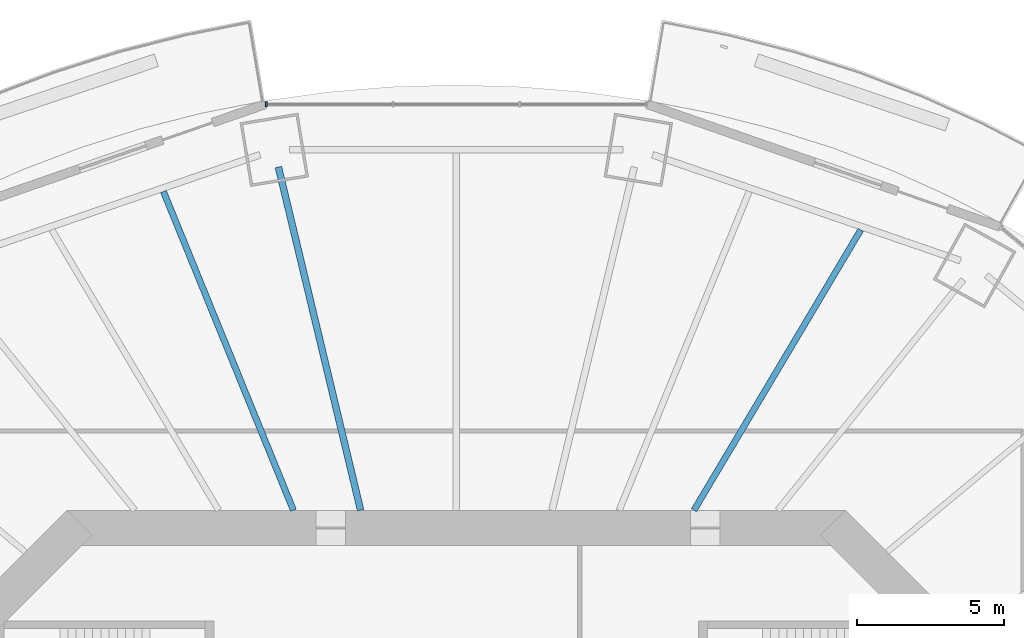
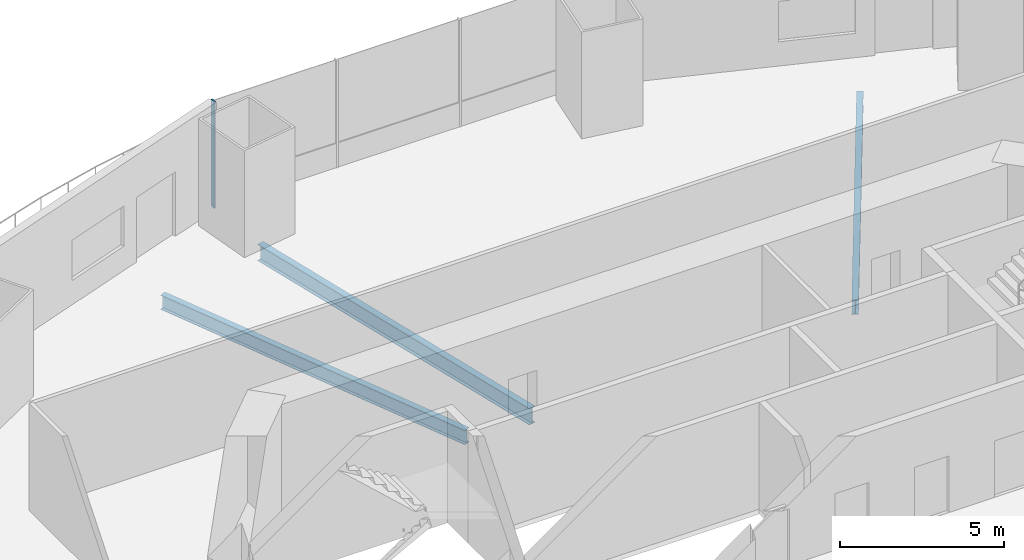
# One storey, part 7 of 20: 3 beams, 1 member, 1 element without a shape of its own.
"""IFC4 building model written with IfcOpenShell, lengths in metres."""

import ifcopenshell
import ifcopenshell.guid

model = None  # the IFC model being written
_history = None  # IfcOwnerHistory: only IFC2X3 demands one
_inside = {}  # id of a spatial element -> (the spatial element, [elements in it])
_under = {}  # id of a project, library or spatial element -> (it, [spatial elements below it])
_declared = {}  # id of a project -> (the project, [libraries it declares])
_typed = {}  # id of a type object -> (the type object, [elements of that type])
_made_of = {}  # id of a material, layer set ... -> (it, [elements and type objects made of it])


def new_model(schema):
    """Start an empty IFC model of exactly this schema.

    Asked for "IFC4X3", IfcOpenShell would pick the latest addendum, in which some entities
    have other attributes; the version numbers below select the first issue.
    IFC2X3 requires an IfcOwnerHistory on every rooted entity: one is made here for all.
    """
    global model, _history
    if schema == "IFC4X3":
        model = ifcopenshell.file(schema_version=(4, 3, 0, 0))
    else:
        model = ifcopenshell.file(schema=schema)
    _inside.clear()
    _under.clear()
    _declared.clear()
    _typed.clear()
    _made_of.clear()
    _history = None
    if model.schema == "IFC2X3":
        org = make("IfcOrganization", Name="unknown")
        user = make(
            "IfcPersonAndOrganization",
            ThePerson=make("IfcPerson", FamilyName="unknown"),
            TheOrganization=org,
        )
        app = make(
            "IfcApplication",
            ApplicationDeveloper=org,
            Version="unknown",
            ApplicationFullName="unknown",
            ApplicationIdentifier="unknown",
        )
        _history = make(
            "IfcOwnerHistory",
            OwningUser=user,
            OwningApplication=app,
            ChangeAction="ADDED",
            CreationDate=0,
        )
    return model


def make(cls, **values):
    """One entity of the class cls with the attributes given. An attribute that is None is left unset."""
    return model.create_entity(
        cls, **{name: value for name, value in values.items() if value is not None}
    )


def rooted(cls, **values):
    """An entity with a GlobalId (a new one), such as an element, a storey or a relation."""
    return make(cls, GlobalId=ifcopenshell.guid.new(), OwnerHistory=_history, **values)


def si_unit(unit_type, name, prefix=None):
    """IfcSIUnit, for example si_unit("LENGTHUNIT", "METRE", prefix="MILLI")."""
    return make("IfcSIUnit", UnitType=unit_type, Prefix=prefix, Name=name)


def assignment(units):
    """IfcUnitAssignment: the units of a project."""
    return None if units is None else make("IfcUnitAssignment", Units=units)


def point(xyz):
    """IfcCartesianPoint."""
    return None if xyz is None else make("IfcCartesianPoint", Coordinates=xyz)


def direction(xyz):
    """IfcDirection."""
    return None if xyz is None else make("IfcDirection", DirectionRatios=xyz)


def frame(location, z_axis=None, x_axis=None):
    """IfcAxis2Placement3D, a coordinate frame: its origin and axes. An axis left out is left unset."""
    return make(
        "IfcAxis2Placement3D",
        Location=point(location),
        Axis=direction(z_axis),
        RefDirection=direction(x_axis),
    )


def frame_2d(location, x_axis=None):
    """IfcAxis2Placement2D, a coordinate frame in the plane: its origin and x axis."""
    return make(
        "IfcAxis2Placement2D", Location=point(location), RefDirection=direction(x_axis)
    )


def origin():
    """The frame at (0, 0, 0) with its axes left unset."""
    return frame((0.0, 0.0, 0.0))


def origin_2d():
    """The frame at (0, 0) in the plane with its x axis left unset."""
    return frame_2d((0.0, 0.0))


def place(relative_to, where):
    """IfcLocalPlacement: puts the frame where relative to a parent placement (None: the world)."""
    return make(
        "IfcLocalPlacement", PlacementRelTo=relative_to, RelativePlacement=where
    )


def context(
    kind, dimensions, precision=None, world=None, true_north=None, identifier=None
):
    """IfcGeometricRepresentationContext, for example the 3D "Model" context."""
    return make(
        "IfcGeometricRepresentationContext",
        ContextIdentifier=identifier,
        ContextType=kind,
        CoordinateSpaceDimension=dimensions,
        Precision=precision,
        WorldCoordinateSystem=world,
        TrueNorth=true_north,
    )


def subcontext(parent, identifier, kind, view, scale=None):
    """IfcGeometricRepresentationSubContext, for example "Body" below "Model"."""
    return make(
        "IfcGeometricRepresentationSubContext",
        ContextIdentifier=identifier,
        ContextType=kind,
        ParentContext=parent,
        TargetScale=scale,
        TargetView=view,
    )


def project(units=None, contexts=None):
    """IfcProject with its units and contexts."""
    return rooted(
        "IfcProject",
        Name="project",
        RepresentationContexts=contexts,
        UnitsInContext=assignment(units),
    )


def spatial(cls, under=None, at=None, **own):
    """A site, building, storey or space (cls), placed at a placement, below another one or the project."""
    s = rooted(cls, ObjectPlacement=at, **own)
    if under is not None:
        _under.setdefault(under.id(), (under, []))[1].append(s)
    return s


def profile(cls, at=None, kind="AREA", **sizes):
    """A parametric profile (cls). Its sizes go by their IFC names, for example OverallWidth=200.0."""
    return make(cls, ProfileType=kind, Position=at, **sizes)


def rectangle(**sizes):
    """IfcRectangleProfileDef."""
    return profile("IfcRectangleProfileDef", **sizes)


def i_section(**sizes):
    """IfcIShapeProfileDef."""
    return profile("IfcIShapeProfileDef", **sizes)


def extrude(swept, where, along, depth):
    """IfcExtrudedAreaSolid: the profile swept, set in the frame where, extruded along a direction by depth."""
    return make(
        "IfcExtrudedAreaSolid",
        SweptArea=swept,
        Position=where,
        ExtrudedDirection=direction(along),
        Depth=depth,
    )


def shape(context_of_items, identifier, shape_type, items):
    """IfcShapeRepresentation: the items that make up one representation, for example the "Body"."""
    return make(
        "IfcShapeRepresentation",
        ContextOfItems=context_of_items,
        RepresentationIdentifier=identifier,
        RepresentationType=shape_type,
        Items=items,
    )


def material(Name=None, Category=None):
    """IfcMaterial."""
    return make("IfcMaterial", Name=Name, Category=Category)


def material_profile(
    of_material, cross_section, Name=None, Category=None, Priority=None
):
    """IfcMaterialProfile: a cross section and its material."""
    return make(
        "IfcMaterialProfile",
        Name=Name,
        Material=of_material,
        Profile=cross_section,
        Priority=Priority,
        Category=Category,
    )


def profile_set(profiles, Name=None, composite=None):
    """IfcMaterialProfileSet."""
    return make(
        "IfcMaterialProfileSet",
        Name=Name,
        MaterialProfiles=profiles,
        CompositeProfile=composite,
    )


def made_of(thing, what):
    """Note that an element or type object is made of a material, layer set ...; save() writes the relation."""
    if what is not None:
        _made_of.setdefault(what.id(), (what, []))[1].append(thing)
    return thing


def type_object(cls, material=None, **own):
    """A type object (cls), such as IfcWallType, which elements share."""
    return made_of(rooted(cls, **own), material)


def element(
    cls,
    number,
    at=None,
    inside=None,
    cuts=None,
    type_object=None,
    material=None,
    context=None,
    identifier="Body",
    shape_type=None,
    held_by="IfcProductDefinitionShape",
    body=None,
    shapes=None,
    **own,
):
    """One element of the class cls, such as IfcWall. Its Tag is "e" and its number.

    at: its placement. inside: the storey or other place that contains it. cuts: it is an
    opening in that element (IfcRelVoidsElement). A single representation is given by context,
    identifier, shape_type and body (its items); several are given by shapes. held_by: the class
    of the entity that holds the representations. save() writes the other relations.
    """
    e = rooted(cls, Tag="e%d" % number, ObjectPlacement=at, **own)
    if body is not None:
        shapes = [shape(context, identifier, shape_type, body)]
    if shapes is not None:
        e.Representation = make(held_by, Representations=shapes)
    if inside is not None:
        _inside.setdefault(inside.id(), (inside, []))[1].append(e)
    if cuts is not None:
        rooted(
            "IfcRelVoidsElement", RelatingBuildingElement=cuts, RelatedOpeningElement=e
        )
    if type_object is not None:
        _typed.setdefault(type_object.id(), (type_object, []))[1].append(e)
    return made_of(e, material)


def aggregate(whole, parts):
    """IfcRelAggregates: a whole, such as a stair, and the parts it consists of."""
    return rooted("IfcRelAggregates", RelatingObject=whole, RelatedObjects=parts)


def save(model, path):
    """Write the relations noted so far, then the file.

    IfcRelAggregates (storeys below a building ...), IfcRelContainedInSpatialStructure (elements
    in a storey), IfcRelDefinesByType, IfcRelAssociatesMaterial and IfcRelDeclares: one each for
    every whole, place, type object, material and project.
    """
    for whole, parts in _under.values():
        aggregate(whole, parts)
    for where, things in _inside.values():
        rooted(
            "IfcRelContainedInSpatialStructure",
            RelatedElements=things,
            RelatingStructure=where,
        )
    for kind, things in _typed.values():
        rooted("IfcRelDefinesByType", RelatedObjects=things, RelatingType=kind)
    for what, things in _made_of.values():
        rooted("IfcRelAssociatesMaterial", RelatedObjects=things, RelatingMaterial=what)
    for by, libraries in _declared.values():
        rooted("IfcRelDeclares", RelatingContext=by, RelatedDefinitions=libraries)
    model.write(path)


model = new_model("IFC4")

# Units and contexts
model_context = context("Model", 3, precision=1e-05, world=origin(), true_north=direction((0.0, 1.0)))
body_context = subcontext(model_context, "Body", "Model", "MODEL_VIEW")
ifc_project = project(units=[si_unit("LENGTHUNIT", "METRE"), si_unit("AREAUNIT", "SQUARE_METRE"), si_unit("VOLUMEUNIT", "CUBIC_METRE"), si_unit("PLANEANGLEUNIT", "RADIAN"), si_unit("MASSUNIT", "GRAM", prefix="KILO")], contexts=[model_context])

# Site, building, storey
site_placement = place(None, origin())
site = spatial("IfcSite", under=ifc_project, at=site_placement, CompositionType="ELEMENT")
building_placement = place(site_placement, origin())
building = spatial("IfcBuilding", under=site, at=building_placement, Name="Marenthal Gate Tower", CompositionType="ELEMENT")
storey_placement = place(building_placement, frame((0.0, 0.0, 132.60009765625)))
storey = spatial("IfcBuildingStorey", under=building, at=storey_placement, Name="L28", CompositionType="ELEMENT", Elevation=132.60009765625)

# Curtain wall, member
ifc_material_1 = material(Name="Aluminium and glass", Category="aluminium")
curtain_wall_type = type_object("IfcCurtainWallType", Name="Curtain wall typical low", PredefinedType="NOTDEFINED", material=ifc_material_1)
curtain_wall_placement = place(storey_placement, origin())
curtain_wall = element("IfcCurtainWall", 1, at=curtain_wall_placement, inside=storey, type_object=curtain_wall_type, Name="Curtain wall L28 bay 4", PredefinedType="NOTDEFINED")
ifc_material_2 = material(Name="Aluminium", Category="aluminium")
ifc_material_profile_1 = material_profile(ifc_material_2, rectangle(XDim=0.159912109375, YDim=0.06005859375, at=origin_2d()), Name="60x160 aluminium mullion")
ifc_profile_set_1 = profile_set([ifc_material_profile_1], Name="Aluminium")
member_type = type_object("IfcMemberType", Name="Mullion 60x160 typical low", PredefinedType="MULLION", material=ifc_profile_set_1)
member_placement = place(storey_placement, frame((-6.474609375, 27.419921875, 0.0), z_axis=(0.0, 0.0, 1.0), x_axis=(0.0, -1.0, 0.0)))
member = element("IfcMember", 2, at=member_placement, type_object=member_type, Name="Mullion L28 bay 4.4", PredefinedType="MULLION", context=body_context, shape_type="SweptSolid", body=[
    extrude(rectangle(XDim=0.159912109375, YDim=0.06005859375, at=origin_2d()), origin(), (0.0, 0.0, 1.0), 3.969970703125),
])
aggregate(curtain_wall, [member])

# Beams
ifc_material_3 = material(Name="Steel S355", Category="steel")
ifc_material_profile_2 = material_profile(ifc_material_3, i_section(OverallWidth=0.2099609375, OverallDepth=0.535888671875, WebThickness=0.010986328125, FlangeThickness=0.017333984375, FilletRadius=0.0126953125, at=origin_2d()), Name="W530X101")
ifc_profile_set_2 = profile_set([ifc_material_profile_2], Name="Steel S355")
beam_type_1 = type_object("IfcBeamType", Name="W530X101 beam", PredefinedType="BEAM", material=ifc_profile_set_2)
beam_1_placement = place(storey_placement, frame((13.769775390625, 23.14404296875, -0.447998046875), z_axis=(-0.511320752803, -0.859389950926, 0.0), x_axis=(0.859389950926, -0.511320752803, 0.0)))
element("IfcBeam", 3, at=beam_1_placement, inside=storey, type_object=beam_type_1, Name="BM-L28-20", PredefinedType="BEAM", context=body_context, shape_type="SweptSolid", body=[
    extrude(i_section(OverallWidth=0.2099609375, OverallDepth=0.535888671875, WebThickness=0.010986328125, FlangeThickness=0.017333984375, FilletRadius=0.0126953125, at=origin_2d()), origin(), (0.0, 0.0, 1.0), 11.10546875),
])
ifc_material_4 = material(Name="Steel S355", Category="steel")
ifc_material_profile_3 = material_profile(ifc_material_4, i_section(OverallWidth=0.2119140625, OverallDepth=0.5439453125, WebThickness=0.01318359375, FlangeThickness=0.021240234375, FilletRadius=0.0126953125, at=origin_2d()), Name="W530X123")
ifc_profile_set_3 = profile_set([ifc_material_profile_3], Name="Steel S355")
beam_type_2 = type_object("IfcBeamType", Name="W530X123 beam", PredefinedType="BEAM", material=ifc_profile_set_3)
beam_2_placement = place(storey_placement, frame((-9.9697265625, 24.451171875, -0.4521484375), z_axis=(0.377553645664, -0.92598771301, 0.0), x_axis=(0.92598771301, 0.377553645664, 0.0)))
element("IfcBeam", 4, at=beam_2_placement, inside=storey, type_object=beam_type_2, Name="BM-L28-23", PredefinedType="BEAM", context=body_context, shape_type="SweptSolid", body=[
    extrude(i_section(OverallWidth=0.2119140625, OverallDepth=0.5439453125, WebThickness=0.01318359375, FlangeThickness=0.021240234375, FilletRadius=0.0126953125, at=origin_2d()), origin(), (0.0, 0.0, 1.0), 11.71826171875),
])
ifc_material_5 = material(Name="Steel S355", Category="steel")
ifc_material_profile_4 = material_profile(ifc_material_5, i_section(OverallWidth=0.22900390625, OverallDepth=0.612060546875, WebThickness=0.011962890625, FlangeThickness=0.01953125, FilletRadius=0.0126953125, at=origin_2d()), Name="W610X125")
ifc_profile_set_4 = profile_set([ifc_material_profile_4], Name="Steel S355")
beam_type_3 = type_object("IfcBeamType", Name="W610X125 beam", PredefinedType="BEAM", material=ifc_profile_set_4)
beam_3_placement = place(storey_placement, frame((-6.05615234375, 25.283935546875, -0.486083984375), z_axis=(0.232937154271, -0.972491790279, 0.0), x_axis=(0.972491790279, 0.232937154271, 0.0)))
element("IfcBeam", 5, at=beam_3_placement, inside=storey, type_object=beam_type_3, Name="BM-L28-05", PredefinedType="BEAM", context=body_context, shape_type="SweptSolid", body=[
    extrude(i_section(OverallWidth=0.22900390625, OverallDepth=0.612060546875, WebThickness=0.011962890625, FlangeThickness=0.01953125, FilletRadius=0.0126953125, at=origin_2d()), origin(), (0.0, 0.0, 1.0), 12.014404296875),
])

save(model, "model.ifc")
